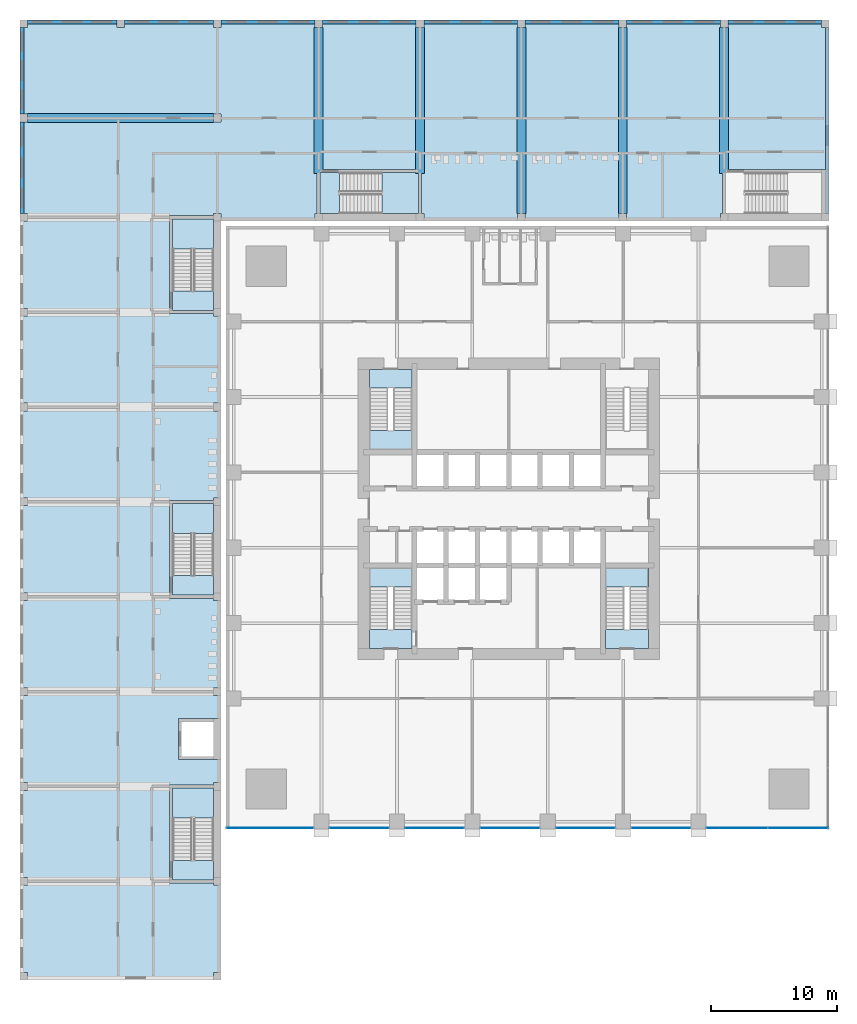
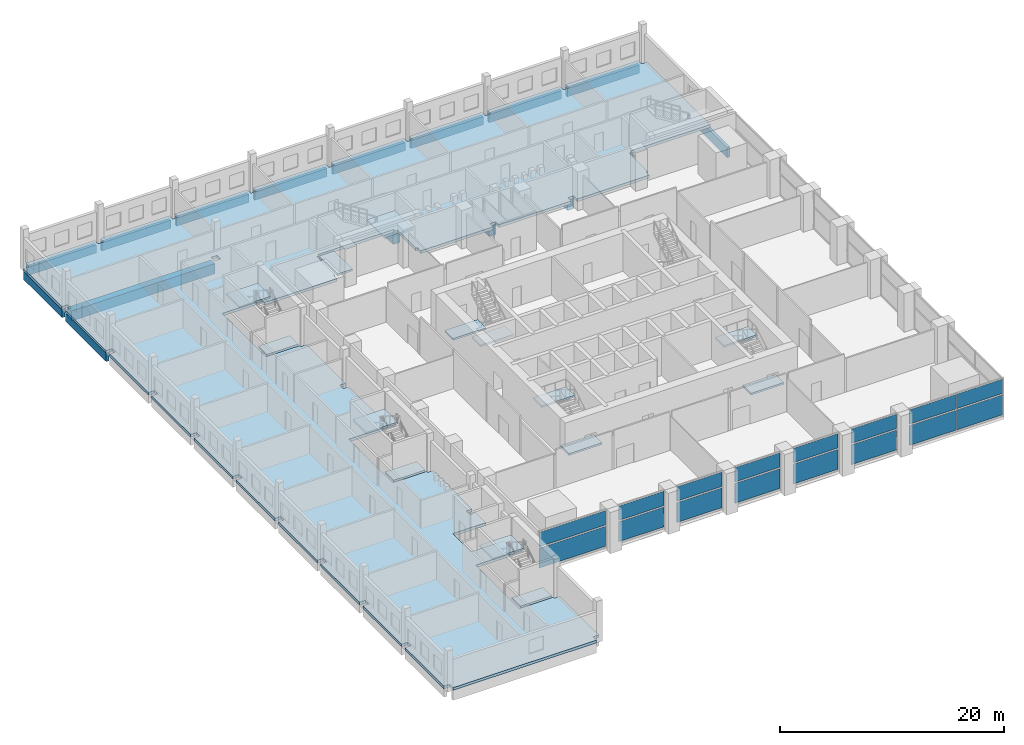
# One storey, part 8 of 25: 17 beams, 16 plates, 15 slabs, 14 elements without a shape of their own.
"""IFC4 building model written with IfcOpenShell, lengths in metres."""

import ifcopenshell
import ifcopenshell.guid

model = None  # the IFC model being written
_history = None  # IfcOwnerHistory: only IFC2X3 demands one
_inside = {}  # id of a spatial element -> (the spatial element, [elements in it])
_under = {}  # id of a project, library or spatial element -> (it, [spatial elements below it])
_declared = {}  # id of a project -> (the project, [libraries it declares])
_typed = {}  # id of a type object -> (the type object, [elements of that type])
_made_of = {}  # id of a material, layer set ... -> (it, [elements and type objects made of it])


def new_model(schema):
    """Start an empty IFC model of exactly this schema.

    Asked for "IFC4X3", IfcOpenShell would pick the latest addendum, in which some entities
    have other attributes; the version numbers below select the first issue.
    IFC2X3 requires an IfcOwnerHistory on every rooted entity: one is made here for all.
    """
    global model, _history
    if schema == "IFC4X3":
        model = ifcopenshell.file(schema_version=(4, 3, 0, 0))
    else:
        model = ifcopenshell.file(schema=schema)
    _inside.clear()
    _under.clear()
    _declared.clear()
    _typed.clear()
    _made_of.clear()
    _history = None
    if model.schema == "IFC2X3":
        org = make("IfcOrganization", Name="unknown")
        user = make(
            "IfcPersonAndOrganization",
            ThePerson=make("IfcPerson", FamilyName="unknown"),
            TheOrganization=org,
        )
        app = make(
            "IfcApplication",
            ApplicationDeveloper=org,
            Version="unknown",
            ApplicationFullName="unknown",
            ApplicationIdentifier="unknown",
        )
        _history = make(
            "IfcOwnerHistory",
            OwningUser=user,
            OwningApplication=app,
            ChangeAction="ADDED",
            CreationDate=0,
        )
    return model


def make(cls, **values):
    """One entity of the class cls with the attributes given. An attribute that is None is left unset."""
    return model.create_entity(
        cls, **{name: value for name, value in values.items() if value is not None}
    )


def rooted(cls, **values):
    """An entity with a GlobalId (a new one), such as an element, a storey or a relation."""
    return make(cls, GlobalId=ifcopenshell.guid.new(), OwnerHistory=_history, **values)


def si_unit(unit_type, name, prefix=None):
    """IfcSIUnit, for example si_unit("LENGTHUNIT", "METRE", prefix="MILLI")."""
    return make("IfcSIUnit", UnitType=unit_type, Prefix=prefix, Name=name)


def assignment(units):
    """IfcUnitAssignment: the units of a project."""
    return None if units is None else make("IfcUnitAssignment", Units=units)


def point(xyz):
    """IfcCartesianPoint."""
    return None if xyz is None else make("IfcCartesianPoint", Coordinates=xyz)


def direction(xyz):
    """IfcDirection."""
    return None if xyz is None else make("IfcDirection", DirectionRatios=xyz)


def frame(location, z_axis=None, x_axis=None):
    """IfcAxis2Placement3D, a coordinate frame: its origin and axes. An axis left out is left unset."""
    return make(
        "IfcAxis2Placement3D",
        Location=point(location),
        Axis=direction(z_axis),
        RefDirection=direction(x_axis),
    )


def frame_2d(location, x_axis=None):
    """IfcAxis2Placement2D, a coordinate frame in the plane: its origin and x axis."""
    return make(
        "IfcAxis2Placement2D", Location=point(location), RefDirection=direction(x_axis)
    )


def origin():
    """The frame at (0, 0, 0) with its axes left unset."""
    return frame((0.0, 0.0, 0.0))


def origin_2d():
    """The frame at (0, 0) in the plane with its x axis left unset."""
    return frame_2d((0.0, 0.0))


def place(relative_to, where):
    """IfcLocalPlacement: puts the frame where relative to a parent placement (None: the world)."""
    return make(
        "IfcLocalPlacement", PlacementRelTo=relative_to, RelativePlacement=where
    )


def context(
    kind, dimensions, precision=None, world=None, true_north=None, identifier=None
):
    """IfcGeometricRepresentationContext, for example the 3D "Model" context."""
    return make(
        "IfcGeometricRepresentationContext",
        ContextIdentifier=identifier,
        ContextType=kind,
        CoordinateSpaceDimension=dimensions,
        Precision=precision,
        WorldCoordinateSystem=world,
        TrueNorth=true_north,
    )


def subcontext(parent, identifier, kind, view, scale=None):
    """IfcGeometricRepresentationSubContext, for example "Body" below "Model"."""
    return make(
        "IfcGeometricRepresentationSubContext",
        ContextIdentifier=identifier,
        ContextType=kind,
        ParentContext=parent,
        TargetScale=scale,
        TargetView=view,
    )


def project(units=None, contexts=None):
    """IfcProject with its units and contexts."""
    return rooted(
        "IfcProject",
        Name="project",
        RepresentationContexts=contexts,
        UnitsInContext=assignment(units),
    )


def spatial(cls, under=None, at=None, **own):
    """A site, building, storey or space (cls), placed at a placement, below another one or the project."""
    s = rooted(cls, ObjectPlacement=at, **own)
    if under is not None:
        _under.setdefault(under.id(), (under, []))[1].append(s)
    return s


def polyline(points):
    """IfcPolyline through the points."""
    return make("IfcPolyline", Points=[point(p) for p in points])


def profile(cls, at=None, kind="AREA", **sizes):
    """A parametric profile (cls). Its sizes go by their IFC names, for example OverallWidth=200.0."""
    return make(cls, ProfileType=kind, Position=at, **sizes)


def rectangle(**sizes):
    """IfcRectangleProfileDef."""
    return profile("IfcRectangleProfileDef", **sizes)


def outline(outer, holes=None, kind="AREA"):
    """IfcArbitraryClosedProfileDef: a profile drawn as a closed curve; with holes, ...WithVoids."""
    if holes is None:
        return make("IfcArbitraryClosedProfileDef", ProfileType=kind, OuterCurve=outer)
    return make(
        "IfcArbitraryProfileDefWithVoids",
        ProfileType=kind,
        OuterCurve=outer,
        InnerCurves=holes,
    )


def extrude(swept, where, along, depth):
    """IfcExtrudedAreaSolid: the profile swept, set in the frame where, extruded along a direction by depth."""
    return make(
        "IfcExtrudedAreaSolid",
        SweptArea=swept,
        Position=where,
        ExtrudedDirection=direction(along),
        Depth=depth,
    )


def shape(context_of_items, identifier, shape_type, items):
    """IfcShapeRepresentation: the items that make up one representation, for example the "Body"."""
    return make(
        "IfcShapeRepresentation",
        ContextOfItems=context_of_items,
        RepresentationIdentifier=identifier,
        RepresentationType=shape_type,
        Items=items,
    )


def material(Name=None, Category=None):
    """IfcMaterial."""
    return make("IfcMaterial", Name=Name, Category=Category)


def layer(
    of_material, thickness, ventilated=None, Name=None, Category=None, Priority=None
):
    """IfcMaterialLayer: one layer of a wall or slab, of a material (None: an air gap)."""
    return make(
        "IfcMaterialLayer",
        Material=of_material,
        LayerThickness=thickness,
        IsVentilated=ventilated,
        Name=Name,
        Category=Category,
        Priority=Priority,
    )


def layer_set(layers, Name=None):
    """IfcMaterialLayerSet."""
    return make("IfcMaterialLayerSet", MaterialLayers=layers, LayerSetName=Name)


def material_profile(
    of_material, cross_section, Name=None, Category=None, Priority=None
):
    """IfcMaterialProfile: a cross section and its material."""
    return make(
        "IfcMaterialProfile",
        Name=Name,
        Material=of_material,
        Profile=cross_section,
        Priority=Priority,
        Category=Category,
    )


def profile_set(profiles, Name=None, composite=None):
    """IfcMaterialProfileSet."""
    return make(
        "IfcMaterialProfileSet",
        Name=Name,
        MaterialProfiles=profiles,
        CompositeProfile=composite,
    )


def made_of(thing, what):
    """Note that an element or type object is made of a material, layer set ...; save() writes the relation."""
    if what is not None:
        _made_of.setdefault(what.id(), (what, []))[1].append(thing)
    return thing


def type_object(cls, material=None, **own):
    """A type object (cls), such as IfcWallType, which elements share."""
    return made_of(rooted(cls, **own), material)


def element(
    cls,
    number,
    at=None,
    inside=None,
    cuts=None,
    type_object=None,
    material=None,
    context=None,
    identifier="Body",
    shape_type=None,
    held_by="IfcProductDefinitionShape",
    body=None,
    shapes=None,
    **own,
):
    """One element of the class cls, such as IfcWall. Its Tag is "e" and its number.

    at: its placement. inside: the storey or other place that contains it. cuts: it is an
    opening in that element (IfcRelVoidsElement). A single representation is given by context,
    identifier, shape_type and body (its items); several are given by shapes. held_by: the class
    of the entity that holds the representations. save() writes the other relations.
    """
    e = rooted(cls, Tag="e%d" % number, ObjectPlacement=at, **own)
    if body is not None:
        shapes = [shape(context, identifier, shape_type, body)]
    if shapes is not None:
        e.Representation = make(held_by, Representations=shapes)
    if inside is not None:
        _inside.setdefault(inside.id(), (inside, []))[1].append(e)
    if cuts is not None:
        rooted(
            "IfcRelVoidsElement", RelatingBuildingElement=cuts, RelatedOpeningElement=e
        )
    if type_object is not None:
        _typed.setdefault(type_object.id(), (type_object, []))[1].append(e)
    return made_of(e, material)


def aggregate(whole, parts):
    """IfcRelAggregates: a whole, such as a stair, and the parts it consists of."""
    return rooted("IfcRelAggregates", RelatingObject=whole, RelatedObjects=parts)


def save(model, path):
    """Write the relations noted so far, then the file.

    IfcRelAggregates (storeys below a building ...), IfcRelContainedInSpatialStructure (elements
    in a storey), IfcRelDefinesByType, IfcRelAssociatesMaterial and IfcRelDeclares: one each for
    every whole, place, type object, material and project.
    """
    for whole, parts in _under.values():
        aggregate(whole, parts)
    for where, things in _inside.values():
        rooted(
            "IfcRelContainedInSpatialStructure",
            RelatedElements=things,
            RelatingStructure=where,
        )
    for kind, things in _typed.values():
        rooted("IfcRelDefinesByType", RelatedObjects=things, RelatingType=kind)
    for what, things in _made_of.values():
        rooted("IfcRelAssociatesMaterial", RelatedObjects=things, RelatingMaterial=what)
    for by, libraries in _declared.values():
        rooted("IfcRelDeclares", RelatingContext=by, RelatedDefinitions=libraries)
    model.write(path)


model = new_model("IFC4")

# Units and contexts
model_context = context("Model", 3, precision=1e-05, world=origin(), true_north=direction((0.0, 1.0)))
body_context = subcontext(model_context, "Body", "Model", "MODEL_VIEW")
ifc_project = project(units=[si_unit("LENGTHUNIT", "METRE"), si_unit("AREAUNIT", "SQUARE_METRE"), si_unit("VOLUMEUNIT", "CUBIC_METRE"), si_unit("PLANEANGLEUNIT", "RADIAN"), si_unit("MASSUNIT", "GRAM", prefix="KILO")], contexts=[model_context])

# Site, building, storey
site_placement = place(None, origin())
site = spatial("IfcSite", under=ifc_project, at=site_placement, CompositionType="ELEMENT")
building_placement = place(site_placement, origin())
building = spatial("IfcBuilding", under=site, at=building_placement, Name="Amberfall Residences", CompositionType="ELEMENT")
storey_placement = place(building_placement, frame((0.0, 0.0, 10.0)))
storey = spatial("IfcBuildingStorey", under=building, at=storey_placement, Name="L02", CompositionType="ELEMENT", Elevation=10.0)

# Beams
ifc_material_1 = material(Name="Concrete C40", Category="concrete")
ifc_material_profile_1 = material_profile(ifc_material_1, rectangle(XDim=0.699951171875, YDim=1.10009765625, at=origin_2d()), Name="School beam 700 x 1100 C40")
ifc_profile_set_1 = profile_set([ifc_material_profile_1], Name="Concrete C40")
beam_type_1 = type_object("IfcBeamType", Name="School beam 700 x 1100 C40", PredefinedType="BEAM", material=ifc_profile_set_1)
beam_1_placement = place(storey_placement, frame((36.199951171875, 76.60009765625, -0.85009765625), z_axis=(1.0, 0.0, 0.0), x_axis=(0.0, 1.0, 0.0)))
element("IfcBeam", 1, at=beam_1_placement, inside=storey, type_object=beam_type_1, Name="TW9", PredefinedType="BEAM", context=body_context, shape_type="SweptSolid", body=[
    extrude(rectangle(XDim=0.699951171875, YDim=1.10009765625, at=origin_2d()), origin(), (0.0, 0.0, 1.0), 14.800048828125),
])
for number, where, z_axis, x_axis, name in (
    (2, (59.366943359375, 72.199951171875, -0.85009765625), (0.0, 1.0, 0.0), (-1.0, 0.0, 0.0), "TN1"),
    (3, (67.43310546875, 72.199951171875, -0.85009765625), (0.0, 1.0, 0.0), (-1.0, 0.0, 0.0), "TN2"),
):
    element("IfcBeam", number, at=place(storey_placement, frame(where, z_axis=z_axis, x_axis=x_axis)), inside=storey, type_object=beam_type_1, Name=name, PredefinedType="BEAM", context=body_context, shape_type="SweptSolid", body=[
        extrude(rectangle(XDim=0.699951171875, YDim=1.10009765625, at=origin_2d()), origin(), (0.0, 0.0, 1.0), 11.60009765625),
    ])
for number, where, z_axis, x_axis, name in (
    (4, (75.5, 69.0, -0.85009765625), (0.0, 1.0, 0.0), (-1.0, 0.0, 0.0), "TN3"),
    (5, (83.56689453125, 69.0, -0.85009765625), (0.0, 1.0, 0.0), (-1.0, 0.0, 0.0), "TN4"),
):
    element("IfcBeam", number, at=place(storey_placement, frame(where, z_axis=z_axis, x_axis=x_axis)), inside=storey, type_object=beam_type_1, Name=name, PredefinedType="BEAM", context=body_context, shape_type="SweptSolid", body=[
        extrude(rectangle(XDim=0.699951171875, YDim=1.10009765625, at=origin_2d()), origin(), (0.0, 0.0, 1.0), 14.800048828125),
    ])
beam_2_placement = place(storey_placement, frame((91.633056640625, 72.199951171875, -0.85009765625), z_axis=(0.0, 1.0, 0.0), x_axis=(-1.0, 0.0, 0.0)))
element("IfcBeam", 6, at=beam_2_placement, inside=storey, type_object=beam_type_1, Name="TN5", PredefinedType="BEAM", context=body_context, shape_type="SweptSolid", body=[
    extrude(rectangle(XDim=0.699951171875, YDim=1.10009765625, at=origin_2d()), origin(), (0.0, 0.0, 1.0), 11.60009765625),
])
ifc_material_profile_2 = material_profile(ifc_material_1, rectangle(XDim=0.300048828125, YDim=0.89990234375, at=origin_2d()), Name="School edge beam 300 x 900 C40")
ifc_profile_set_2 = profile_set([ifc_material_profile_2], Name="Concrete C40")
beam_type_2 = type_object("IfcBeamType", Name="School edge beam 300 x 900 C40", PredefinedType="BEAM", material=ifc_profile_set_2)
beam_3_placement = place(storey_placement, frame((35.75, 69.0, -0.75), z_axis=(0.0, 1.0, 0.0), x_axis=(-1.0, 0.0, 0.0)))
element("IfcBeam", 7, at=beam_3_placement, inside=storey, type_object=beam_type_2, Name="GW8", PredefinedType="BEAM", context=body_context, shape_type="SweptSolid", body=[
    extrude(rectangle(XDim=0.300048828125, YDim=0.89990234375, at=origin_2d()), origin(), (0.0, 0.0, 1.0), 7.300048828125),
])
beam_4_placement = place(storey_placement, frame((35.75, 76.89990234375, -0.75), z_axis=(0.0, 1.0, 0.0), x_axis=(-1.0, 0.0, 0.0)))
element("IfcBeam", 8, at=beam_4_placement, inside=storey, type_object=beam_type_2, Name="GW9", PredefinedType="BEAM", context=body_context, shape_type="SweptSolid", body=[
    extrude(rectangle(XDim=0.300048828125, YDim=0.89990234375, at=origin_2d()), origin(), (0.0, 0.0, 1.0), 6.900146484375),
])
for number, where, z_axis, x_axis, name in (
    (9, (36.199951171875, 84.25, -0.75), (1.0, 0.0, 0.0), (0.0, 1.0, 0.0), "GN0"),
    (10, (43.89990234375, 84.25, -0.75), (1.0, 0.0, 0.0), (0.0, 1.0, 0.0), "GN1"),
):
    element("IfcBeam", number, at=place(storey_placement, frame(where, z_axis=z_axis, x_axis=x_axis)), inside=storey, type_object=beam_type_2, Name=name, PredefinedType="BEAM", context=body_context, shape_type="SweptSolid", body=[
        extrude(rectangle(XDim=0.300048828125, YDim=0.89990234375, at=origin_2d()), origin(), (0.0, 0.0, 1.0), 7.10009765625),
    ])
beam_5_placement = place(storey_placement, frame((51.60009765625, 84.25, -0.75), z_axis=(1.0, 0.0, 0.0), x_axis=(0.0, 1.0, 0.0)))
element("IfcBeam", 11, at=beam_5_placement, inside=storey, type_object=beam_type_2, Name="GN2", PredefinedType="BEAM", context=body_context, shape_type="SweptSolid", body=[
    extrude(rectangle(XDim=0.300048828125, YDim=0.89990234375, at=origin_2d()), origin(), (0.0, 0.0, 1.0), 7.466796875),
])
beam_6_placement = place(storey_placement, frame((59.6669921875, 84.25, -0.75), z_axis=(1.0, 0.0, 0.0), x_axis=(0.0, 1.0, 0.0)))
element("IfcBeam", 12, at=beam_6_placement, inside=storey, type_object=beam_type_2, Name="GN3", PredefinedType="BEAM", context=body_context, shape_type="SweptSolid", body=[
    extrude(rectangle(XDim=0.300048828125, YDim=0.89990234375, at=origin_2d()), origin(), (0.0, 0.0, 1.0), 7.466064453125),
])
for number, where, z_axis, x_axis, name in (
    (13, (67.73291015625, 84.25, -0.75), (1.0, 0.0, 0.0), (0.0, 1.0, 0.0), "GN4"),
    (14, (75.800048828125, 84.25, -0.75), (1.0, 0.0, 0.0), (0.0, 1.0, 0.0), "GN5"),
):
    element("IfcBeam", number, at=place(storey_placement, frame(where, z_axis=z_axis, x_axis=x_axis)), inside=storey, type_object=beam_type_2, Name=name, PredefinedType="BEAM", context=body_context, shape_type="SweptSolid", body=[
        extrude(rectangle(XDim=0.300048828125, YDim=0.89990234375, at=origin_2d()), origin(), (0.0, 0.0, 1.0), 7.467041015625),
    ])
beam_7_placement = place(storey_placement, frame((83.866943359375, 84.25, -0.75), z_axis=(1.0, 0.0, 0.0), x_axis=(0.0, 1.0, 0.0)))
element("IfcBeam", 15, at=beam_7_placement, inside=storey, type_object=beam_type_2, Name="GN6", PredefinedType="BEAM", context=body_context, shape_type="SweptSolid", body=[
    extrude(rectangle(XDim=0.300048828125, YDim=0.89990234375, at=origin_2d()), origin(), (0.0, 0.0, 1.0), 7.466064453125),
])
beam_8_placement = place(storey_placement, frame((91.93310546875, 84.25, -0.75), z_axis=(1.0, 0.0, 0.0), x_axis=(0.0, 1.0, 0.0)))
element("IfcBeam", 16, at=beam_8_placement, inside=storey, type_object=beam_type_2, Name="GN7", PredefinedType="BEAM", context=body_context, shape_type="SweptSolid", body=[
    extrude(rectangle(XDim=0.300048828125, YDim=0.89990234375, at=origin_2d()), origin(), (0.0, 0.0, 1.0), 7.466796875),
])
ifc_material_profile_3 = material_profile(ifc_material_1, rectangle(XDim=0.300048828125, YDim=1.10009765625, at=origin_2d()), Name="School end beam 300 x 1100 C40")
ifc_profile_set_3 = profile_set([ifc_material_profile_3], Name="Concrete C40")
beam_type_3 = type_object("IfcBeamType", Name="School end beam 300 x 1100 C40", PredefinedType="BEAM", material=ifc_profile_set_3)
beam_9_placement = place(storey_placement, frame((99.85009765625, 69.0, -0.85009765625), z_axis=(0.0, 1.0, 0.0), x_axis=(-1.0, 0.0, 0.0)))
element("IfcBeam", 17, at=beam_9_placement, inside=storey, type_object=beam_type_3, Name="EE", PredefinedType="BEAM", context=body_context, shape_type="SweptSolid", body=[
    extrude(rectangle(XDim=0.300048828125, YDim=1.10009765625, at=origin_2d()), origin(), (0.0, 0.0, 1.0), 14.800048828125),
])

# Curtain wall, plates
ifc_material_2 = material(Name="Bronze anodised aluminium and glass", Category="aluminium")
curtain_wall_type = type_object("IfcCurtainWallType", Name="Curtain wall CW4 podium storefront", PredefinedType="USERDEFINED", material=ifc_material_2)
curtain_wall_1_placement = place(storey_placement, origin())
curtain_wall_1 = element("IfcCurtainWall", 18, at=curtain_wall_1_placement, inside=storey, type_object=curtain_wall_type, Name="Storefront L02 S1", ObjectType="UNITISED CURTAIN WALL", PredefinedType="USERDEFINED")
ifc_material_3 = material(Name="Clear toughened glazing", Category="glass")
ifc_layer_1 = layer(ifc_material_3, 0.028076171875)
ifc_layer_set_1 = layer_set([ifc_layer_1], Name="CW4 panel 28 glazing")
plate_type = type_object("IfcPlateType", Name="CW4 panel 28 glazing", PredefinedType="CURTAIN_PANEL", material=ifc_layer_set_1)
plate_1_placement = place(storey_placement, frame((55.5, 20.10009765625, 0.14990234375), z_axis=(0.0, 0.0, 1.0), x_axis=(1.0, 0.0, 0.0)))
plate_1 = element("IfcPlate", 19, at=plate_1_placement, type_object=plate_type, Name="CW4 panel 1.1", PredefinedType="CURTAIN_PANEL", context=body_context, shape_type="SweptSolid", body=[
    extrude(rectangle(XDim=6.860107421875, YDim=0.028076171875, at=origin_2d()), origin(), (0.0, 0.0, 1.0), 2.175048828125),
])
plate_2_placement = place(storey_placement, frame((55.5, 20.10009765625, 2.47509765625), z_axis=(0.0, 0.0, 1.0), x_axis=(1.0, 0.0, 0.0)))
plate_2 = element("IfcPlate", 20, at=plate_2_placement, type_object=plate_type, Name="CW4 panel 1.2", PredefinedType="CURTAIN_PANEL", context=body_context, shape_type="SweptSolid", body=[
    extrude(rectangle(XDim=6.860107421875, YDim=0.028076171875, at=origin_2d()), origin(), (0.0, 0.0, 1.0), 1.574951171875),
])
aggregate(curtain_wall_1, [plate_1, plate_2])

curtain_wall_2_placement = place(storey_placement, origin())
curtain_wall_2 = element("IfcCurtainWall", 21, at=curtain_wall_2_placement, inside=storey, type_object=curtain_wall_type, Name="Storefront L02 S2", ObjectType="UNITISED CURTAIN WALL", PredefinedType="USERDEFINED")
plate_3_placement = place(storey_placement, frame((62.60009765625, 20.10009765625, 0.14990234375), z_axis=(0.0, 0.0, 1.0), x_axis=(1.0, 0.0, 0.0)))
plate_3 = element("IfcPlate", 22, at=plate_3_placement, type_object=plate_type, Name="CW4 panel 1.1", PredefinedType="CURTAIN_PANEL", context=body_context, shape_type="SweptSolid", body=[
    extrude(rectangle(XDim=4.659912109375, YDim=0.028076171875, at=origin_2d()), origin(), (0.0, 0.0, 1.0), 2.175048828125),
])
plate_4_placement = place(storey_placement, frame((62.60009765625, 20.10009765625, 2.47509765625), z_axis=(0.0, 0.0, 1.0), x_axis=(1.0, 0.0, 0.0)))
plate_4 = element("IfcPlate", 23, at=plate_4_placement, type_object=plate_type, Name="CW4 panel 1.2", PredefinedType="CURTAIN_PANEL", context=body_context, shape_type="SweptSolid", body=[
    extrude(rectangle(XDim=4.659912109375, YDim=0.028076171875, at=origin_2d()), origin(), (0.0, 0.0, 1.0), 1.574951171875),
])
aggregate(curtain_wall_2, [plate_3, plate_4])

curtain_wall_3_placement = place(storey_placement, origin())
curtain_wall_3 = element("IfcCurtainWall", 24, at=curtain_wall_3_placement, inside=storey, type_object=curtain_wall_type, Name="Storefront L02 S3", ObjectType="UNITISED CURTAIN WALL", PredefinedType="USERDEFINED")
plate_5_placement = place(storey_placement, frame((68.60009765625, 20.10009765625, 0.14990234375), z_axis=(0.0, 0.0, 1.0), x_axis=(1.0, 0.0, 0.0)))
plate_5 = element("IfcPlate", 25, at=plate_5_placement, type_object=plate_type, Name="CW4 panel 1.1", PredefinedType="CURTAIN_PANEL", context=body_context, shape_type="SweptSolid", body=[
    extrude(rectangle(XDim=4.659912109375, YDim=0.028076171875, at=origin_2d()), origin(), (0.0, 0.0, 1.0), 2.175048828125),
])
plate_6_placement = place(storey_placement, frame((68.60009765625, 20.10009765625, 2.47509765625), z_axis=(0.0, 0.0, 1.0), x_axis=(1.0, 0.0, 0.0)))
plate_6 = element("IfcPlate", 26, at=plate_6_placement, type_object=plate_type, Name="CW4 panel 1.2", PredefinedType="CURTAIN_PANEL", context=body_context, shape_type="SweptSolid", body=[
    extrude(rectangle(XDim=4.659912109375, YDim=0.028076171875, at=origin_2d()), origin(), (0.0, 0.0, 1.0), 1.574951171875),
])
aggregate(curtain_wall_3, [plate_5, plate_6])

curtain_wall_4_placement = place(storey_placement, origin())
curtain_wall_4 = element("IfcCurtainWall", 27, at=curtain_wall_4_placement, inside=storey, type_object=curtain_wall_type, Name="Storefront L02 S4", ObjectType="UNITISED CURTAIN WALL", PredefinedType="USERDEFINED")
plate_7_placement = place(storey_placement, frame((74.60009765625, 20.10009765625, 0.14990234375), z_axis=(0.0, 0.0, 1.0), x_axis=(1.0, 0.0, 0.0)))
plate_7 = element("IfcPlate", 28, at=plate_7_placement, type_object=plate_type, Name="CW4 panel 1.1", PredefinedType="CURTAIN_PANEL", context=body_context, shape_type="SweptSolid", body=[
    extrude(rectangle(XDim=4.659912109375, YDim=0.028076171875, at=origin_2d()), origin(), (0.0, 0.0, 1.0), 2.175048828125),
])
plate_8_placement = place(storey_placement, frame((74.60009765625, 20.10009765625, 2.47509765625), z_axis=(0.0, 0.0, 1.0), x_axis=(1.0, 0.0, 0.0)))
plate_8 = element("IfcPlate", 29, at=plate_8_placement, type_object=plate_type, Name="CW4 panel 1.2", PredefinedType="CURTAIN_PANEL", context=body_context, shape_type="SweptSolid", body=[
    extrude(rectangle(XDim=4.659912109375, YDim=0.028076171875, at=origin_2d()), origin(), (0.0, 0.0, 1.0), 1.574951171875),
])
aggregate(curtain_wall_4, [plate_7, plate_8])

curtain_wall_5_placement = place(storey_placement, origin())
curtain_wall_5 = element("IfcCurtainWall", 30, at=curtain_wall_5_placement, inside=storey, type_object=curtain_wall_type, Name="Storefront L02 S5", ObjectType="UNITISED CURTAIN WALL", PredefinedType="USERDEFINED")
plate_9_placement = place(storey_placement, frame((80.60009765625, 20.10009765625, 0.14990234375), z_axis=(0.0, 0.0, 1.0), x_axis=(1.0, 0.0, 0.0)))
plate_9 = element("IfcPlate", 31, at=plate_9_placement, type_object=plate_type, Name="CW4 panel 1.1", PredefinedType="CURTAIN_PANEL", context=body_context, shape_type="SweptSolid", body=[
    extrude(rectangle(XDim=4.659912109375, YDim=0.028076171875, at=origin_2d()), origin(), (0.0, 0.0, 1.0), 2.175048828125),
])
plate_10_placement = place(storey_placement, frame((80.60009765625, 20.10009765625, 2.47509765625), z_axis=(0.0, 0.0, 1.0), x_axis=(1.0, 0.0, 0.0)))
plate_10 = element("IfcPlate", 32, at=plate_10_placement, type_object=plate_type, Name="CW4 panel 1.2", PredefinedType="CURTAIN_PANEL", context=body_context, shape_type="SweptSolid", body=[
    extrude(rectangle(XDim=4.659912109375, YDim=0.028076171875, at=origin_2d()), origin(), (0.0, 0.0, 1.0), 1.574951171875),
])
aggregate(curtain_wall_5, [plate_9, plate_10])

curtain_wall_6_placement = place(storey_placement, origin())
curtain_wall_6 = element("IfcCurtainWall", 33, at=curtain_wall_6_placement, inside=storey, type_object=curtain_wall_type, Name="Storefront L02 S6", ObjectType="UNITISED CURTAIN WALL", PredefinedType="USERDEFINED")
plate_11_placement = place(storey_placement, frame((86.60009765625, 20.10009765625, 0.14990234375), z_axis=(0.0, 0.0, 1.0), x_axis=(1.0, 0.0, 0.0)))
plate_11 = element("IfcPlate", 34, at=plate_11_placement, type_object=plate_type, Name="CW4 panel 1.1", PredefinedType="CURTAIN_PANEL", context=body_context, shape_type="SweptSolid", body=[
    extrude(rectangle(XDim=4.659912109375, YDim=0.028076171875, at=origin_2d()), origin(), (0.0, 0.0, 1.0), 2.175048828125),
])
plate_12_placement = place(storey_placement, frame((86.60009765625, 20.10009765625, 2.47509765625), z_axis=(0.0, 0.0, 1.0), x_axis=(1.0, 0.0, 0.0)))
plate_12 = element("IfcPlate", 35, at=plate_12_placement, type_object=plate_type, Name="CW4 panel 1.2", PredefinedType="CURTAIN_PANEL", context=body_context, shape_type="SweptSolid", body=[
    extrude(rectangle(XDim=4.659912109375, YDim=0.028076171875, at=origin_2d()), origin(), (0.0, 0.0, 1.0), 1.574951171875),
])
aggregate(curtain_wall_6, [plate_11, plate_12])

curtain_wall_7_placement = place(storey_placement, origin())
curtain_wall_7 = element("IfcCurtainWall", 36, at=curtain_wall_7_placement, inside=storey, type_object=curtain_wall_type, Name="Storefront L02 S7", ObjectType="UNITISED CURTAIN WALL", PredefinedType="USERDEFINED")
plate_13_placement = place(storey_placement, frame((92.66748046875, 20.10009765625, 0.14990234375), z_axis=(0.0, 0.0, 1.0), x_axis=(1.0, 0.0, 0.0)))
plate_13 = element("IfcPlate", 37, at=plate_13_placement, type_object=plate_type, Name="CW4 panel 1.1", PredefinedType="CURTAIN_PANEL", context=body_context, shape_type="SweptSolid", body=[
    extrude(rectangle(XDim=4.794921875, YDim=0.028076171875, at=origin_2d()), origin(), (0.0, 0.0, 1.0), 2.175048828125),
])
plate_14_placement = place(storey_placement, frame((92.66748046875, 20.10009765625, 2.47509765625), z_axis=(0.0, 0.0, 1.0), x_axis=(1.0, 0.0, 0.0)))
plate_14 = element("IfcPlate", 38, at=plate_14_placement, type_object=plate_type, Name="CW4 panel 1.2", PredefinedType="CURTAIN_PANEL", context=body_context, shape_type="SweptSolid", body=[
    extrude(rectangle(XDim=4.794921875, YDim=0.028076171875, at=origin_2d()), origin(), (0.0, 0.0, 1.0), 1.574951171875),
])
plate_15_placement = place(storey_placement, frame((97.532470703125, 20.10009765625, 0.14990234375), z_axis=(0.0, 0.0, 1.0), x_axis=(1.0, 0.0, 0.0)))
plate_15 = element("IfcPlate", 39, at=plate_15_placement, type_object=plate_type, Name="CW4 panel 2.1", PredefinedType="CURTAIN_PANEL", context=body_context, shape_type="SweptSolid", body=[
    extrude(rectangle(XDim=4.794921875, YDim=0.028076171875, at=origin_2d()), origin(), (0.0, 0.0, 1.0), 2.175048828125),
])
plate_16_placement = place(storey_placement, frame((97.532470703125, 20.10009765625, 2.47509765625), z_axis=(0.0, 0.0, 1.0), x_axis=(1.0, 0.0, 0.0)))
plate_16 = element("IfcPlate", 40, at=plate_16_placement, type_object=plate_type, Name="CW4 panel 2.2", PredefinedType="CURTAIN_PANEL", context=body_context, shape_type="SweptSolid", body=[
    extrude(rectangle(XDim=4.794921875, YDim=0.028076171875, at=origin_2d()), origin(), (0.0, 0.0, 1.0), 1.574951171875),
])
aggregate(curtain_wall_7, [plate_13, plate_14, plate_15, plate_16])

# Slab
ifc_layer_2 = layer(ifc_material_1, 0.300048828125)
ifc_layer_set_2 = layer_set([ifc_layer_2], Name="School floor slab 300 C40")
slab_type_1 = type_object("IfcSlabType", Name="School floor slab 300 C40", PredefinedType="FLOOR", material=ifc_layer_set_2)
slab_1_placement = place(storey_placement, frame((0.0, 0.0, -0.300048828125)))
element("IfcSlab", 41, at=slab_1_placement, inside=storey, type_object=slab_type_1, Name="School floor L02", PredefinedType="FLOOR", context=body_context, shape_type="SweptSolid", body=[
    extrude(outline(polyline([(36.199951171875, 8.60009765625), (36.199951171875, 8.0), (51.0, 8.0), (51.0, 8.60009765625), (51.60009765625, 8.60009765625), (51.60009765625, 15.550048828125), (51.0, 15.550048828125), (51.0, 15.72509765625), (47.5, 15.72509765625), (47.5, 15.97509765625), (47.5, 23.27490234375), (47.5, 23.52490234375), (51.0, 23.52490234375), (51.0, 23.699951171875), (51.60009765625, 23.699951171875), (51.60009765625, 25.550048828125), (51.0, 25.550048828125), (48.199951171875, 25.550048828125), (48.199951171875, 25.675048828125), (48.199951171875, 25.800048828125), (48.199951171875, 28.550048828125), (48.199951171875, 28.675048828125), (48.199951171875, 28.800048828125), (51.0, 28.800048828125), (51.60009765625, 28.800048828125), (51.60009765625, 30.64990234375), (51.0, 30.64990234375), (51.0, 31.25), (51.60009765625, 31.25), (51.60009765625, 38.199951171875), (51.0, 38.199951171875), (51.0, 38.375), (47.5, 38.375), (47.5, 38.625), (47.5, 45.925048828125), (47.5, 46.175048828125), (51.0, 46.175048828125), (51.0, 46.35009765625), (51.60009765625, 46.35009765625), (51.60009765625, 53.300048828125), (51.0, 53.300048828125), (51.0, 53.89990234375), (51.60009765625, 53.89990234375), (51.60009765625, 60.85009765625), (51.0, 60.85009765625), (51.0, 61.02490234375), (47.5, 61.02490234375), (47.5, 61.27490234375), (47.5, 68.574951171875), (47.5, 68.824951171875), (51.0, 68.824951171875), (51.0, 69.0), (51.60009765625, 69.0), (51.60009765625, 68.39990234375), (59.06689453125, 68.39990234375), (59.06689453125, 69.0), (59.241943359375, 69.0), (59.241943359375, 72.25), (59.491943359375, 72.25), (59.491943359375, 72.5), (67.30810546875, 72.5), (67.30810546875, 72.25), (67.55810546875, 72.25), (67.55810546875, 69.0), (67.73291015625, 69.0), (67.73291015625, 68.39990234375), (75.199951171875, 68.39990234375), (75.199951171875, 69.0), (75.800048828125, 69.0), (75.800048828125, 68.39990234375), (83.26708984375, 68.39990234375), (83.26708984375, 69.0), (83.866943359375, 69.0), (83.866943359375, 68.39990234375), (91.3330078125, 68.39990234375), (91.3330078125, 69.0), (91.508056640625, 69.0), (91.508056640625, 72.25), (91.758056640625, 72.25), (91.758056640625, 72.5), (99.39990234375, 72.5), (100.0, 72.5), (100.0, 83.800048828125), (99.39990234375, 83.800048828125), (99.39990234375, 84.39990234375), (91.93310546875, 84.39990234375), (91.93310546875, 83.800048828125), (91.3330078125, 83.800048828125), (91.3330078125, 84.39990234375), (83.866943359375, 84.39990234375), (83.866943359375, 83.800048828125), (83.26708984375, 83.800048828125), (83.26708984375, 84.39990234375), (75.800048828125, 84.39990234375), (75.800048828125, 83.800048828125), (75.199951171875, 83.800048828125), (75.199951171875, 84.39990234375), (67.73291015625, 84.39990234375), (67.73291015625, 83.800048828125), (67.133056640625, 83.800048828125), (67.133056640625, 84.39990234375), (59.6669921875, 84.39990234375), (59.6669921875, 83.800048828125), (59.06689453125, 83.800048828125), (59.06689453125, 84.39990234375), (51.60009765625, 84.39990234375), (51.60009765625, 83.800048828125), (51.0, 83.800048828125), (51.0, 84.39990234375), (43.89990234375, 84.39990234375), (43.89990234375, 83.800048828125), (43.300048828125, 83.800048828125), (43.300048828125, 84.39990234375), (36.199951171875, 84.39990234375), (36.199951171875, 83.800048828125), (35.60009765625, 83.800048828125), (35.60009765625, 76.89990234375), (36.199951171875, 76.89990234375), (36.199951171875, 76.300048828125), (35.60009765625, 76.300048828125), (35.60009765625, 69.0), (36.199951171875, 69.0), (36.199951171875, 68.39990234375), (35.60009765625, 68.39990234375), (35.60009765625, 61.449951171875), (36.199951171875, 61.449951171875), (36.199951171875, 60.85009765625), (35.60009765625, 60.85009765625), (35.60009765625, 53.89990234375), (36.199951171875, 53.89990234375), (36.199951171875, 53.300048828125), (35.60009765625, 53.300048828125), (35.60009765625, 46.35009765625), (36.199951171875, 46.35009765625), (36.199951171875, 45.75), (35.60009765625, 45.75), (35.60009765625, 38.800048828125), (36.199951171875, 38.800048828125), (36.199951171875, 38.199951171875), (35.60009765625, 38.199951171875), (35.60009765625, 31.25), (36.199951171875, 31.25), (36.199951171875, 30.64990234375), (35.60009765625, 30.64990234375), (35.60009765625, 23.699951171875), (36.199951171875, 23.699951171875), (36.199951171875, 23.10009765625), (35.60009765625, 23.10009765625), (35.60009765625, 16.14990234375), (36.199951171875, 16.14990234375), (36.199951171875, 15.550048828125), (35.60009765625, 15.550048828125), (35.60009765625, 8.60009765625), (36.199951171875, 8.60009765625)]), holes=[polyline([(51.0, 76.300048828125), (51.0, 76.89990234375), (51.60009765625, 76.89990234375), (51.60009765625, 76.300048828125), (51.0, 76.300048828125)])]), origin(), (0.0, 0.0, 1.0), 0.300048828125),
])

# Stair, slabs
stair_type_1 = type_object("IfcStairType", Name="School stair", PredefinedType="HALF_TURN_STAIR", material=ifc_material_1)
stair_1_placement = place(storey_placement, origin())
stair_1 = element("IfcStair", 42, at=stair_1_placement, inside=storey, type_object=stair_type_1, Name="L02 Stair SS1", PredefinedType="HALF_TURN_STAIR")
ifc_layer_3 = layer(ifc_material_1, 0.199951171875)
ifc_layer_set_3 = layer_set([ifc_layer_3], Name="School stair landing")
slab_type_2 = type_object("IfcSlabType", Name="School stair landing", PredefinedType="LANDING", material=ifc_layer_set_3)
slab_2_placement = place(storey_placement, frame((0.0, 0.0, 2.050048828125)))
slab_2 = element("IfcSlab", 43, at=slab_2_placement, type_object=slab_type_2, Name="SS1 landing 1", PredefinedType="LANDING", context=body_context, shape_type="SweptSolid", body=[
    extrude(outline(polyline([(51.0, 20.885009765625), (51.0, 23.27490234375), (47.75, 23.27490234375), (47.75, 20.885009765625), (51.0, 20.885009765625)])), origin(), (0.0, 0.0, 1.0), 0.199951171875),
])
slab_3_placement = place(storey_placement, frame((0.0, 0.0, -0.199951171875)))
slab_3 = element("IfcSlab", 44, at=slab_3_placement, type_object=slab_type_2, Name="SS1 landing 2", PredefinedType="LANDING", context=body_context, shape_type="SweptSolid", body=[
    extrude(outline(polyline([(51.0, 15.97509765625), (51.0, 17.52490234375), (47.75, 17.52490234375), (47.75, 15.97509765625), (51.0, 15.97509765625)])), origin(), (0.0, 0.0, 1.0), 0.199951171875),
])
aggregate(stair_1, [slab_2, slab_3])

stair_2_placement = place(storey_placement, origin())
stair_2 = element("IfcStair", 45, at=stair_2_placement, inside=storey, type_object=stair_type_1, Name="L02 Stair SS2", PredefinedType="HALF_TURN_STAIR")
slab_4_placement = place(storey_placement, frame((0.0, 0.0, 2.050048828125)))
slab_4 = element("IfcSlab", 46, at=slab_4_placement, type_object=slab_type_2, Name="SS2 landing 1", PredefinedType="LANDING", context=body_context, shape_type="SweptSolid", body=[
    extrude(outline(polyline([(51.0, 43.534912109375), (51.0, 45.925048828125), (47.75, 45.925048828125), (47.75, 43.534912109375), (51.0, 43.534912109375)])), origin(), (0.0, 0.0, 1.0), 0.199951171875),
])
slab_5_placement = place(storey_placement, frame((0.0, 0.0, -0.199951171875)))
slab_5 = element("IfcSlab", 47, at=slab_5_placement, type_object=slab_type_2, Name="SS2 landing 2", PredefinedType="LANDING", context=body_context, shape_type="SweptSolid", body=[
    extrude(outline(polyline([(51.0, 38.625), (51.0, 40.175048828125), (47.75, 40.175048828125), (47.75, 38.625), (51.0, 38.625)])), origin(), (0.0, 0.0, 1.0), 0.199951171875),
])
aggregate(stair_2, [slab_4, slab_5])

stair_3_placement = place(storey_placement, origin())
stair_3 = element("IfcStair", 48, at=stair_3_placement, inside=storey, type_object=stair_type_1, Name="L02 Stair SS3", PredefinedType="HALF_TURN_STAIR")
slab_6_placement = place(storey_placement, frame((0.0, 0.0, 2.050048828125)))
slab_6 = element("IfcSlab", 49, at=slab_6_placement, type_object=slab_type_2, Name="SS3 landing 1", PredefinedType="LANDING", context=body_context, shape_type="SweptSolid", body=[
    extrude(outline(polyline([(51.0, 66.18505859375), (51.0, 68.574951171875), (47.75, 68.574951171875), (47.75, 66.18505859375), (51.0, 66.18505859375)])), origin(), (0.0, 0.0, 1.0), 0.199951171875),
])
slab_7_placement = place(storey_placement, frame((0.0, 0.0, -0.199951171875)))
slab_7 = element("IfcSlab", 50, at=slab_7_placement, type_object=slab_type_2, Name="SS3 landing 2", PredefinedType="LANDING", context=body_context, shape_type="SweptSolid", body=[
    extrude(outline(polyline([(51.0, 61.27490234375), (51.0, 62.824951171875), (47.75, 62.824951171875), (47.75, 61.27490234375), (51.0, 61.27490234375)])), origin(), (0.0, 0.0, 1.0), 0.199951171875),
])
aggregate(stair_3, [slab_6, slab_7])

stair_4_placement = place(storey_placement, origin())
stair_4 = element("IfcStair", 51, at=stair_4_placement, inside=storey, type_object=stair_type_1, Name="L02 Stair SS4", PredefinedType="HALF_TURN_STAIR")
slab_8_placement = place(storey_placement, frame((0.0, 0.0, 2.050048828125)))
slab_8 = element("IfcSlab", 52, at=slab_8_placement, type_object=slab_type_2, Name="SS4 landing 1", PredefinedType="LANDING", context=body_context, shape_type="SweptSolid", body=[
    extrude(outline(polyline([(64.402099609375, 69.0), (67.30810546875, 69.0), (67.30810546875, 72.25), (64.402099609375, 72.25), (64.402099609375, 69.0)])), origin(), (0.0, 0.0, 1.0), 0.199951171875),
])
slab_9_placement = place(storey_placement, frame((0.0, 0.0, -0.199951171875)))
slab_9 = element("IfcSlab", 53, at=slab_9_placement, type_object=slab_type_2, Name="SS4 landing 2", PredefinedType="LANDING", context=body_context, shape_type="SweptSolid", body=[
    extrude(outline(polyline([(59.491943359375, 69.0), (61.0419921875, 69.0), (61.0419921875, 72.25), (59.491943359375, 72.25), (59.491943359375, 69.0)])), origin(), (0.0, 0.0, 1.0), 0.199951171875),
])
aggregate(stair_4, [slab_8, slab_9])

stair_type_2 = type_object("IfcStairType", Name="Exit stair 26 risers 173.1 mm", PredefinedType="HALF_TURN_STAIR", material=ifc_material_1)
stair_5_placement = place(storey_placement, origin())
stair_5 = element("IfcStair", 54, at=stair_5_placement, inside=storey, type_object=stair_type_2, Name="L02 Exit stair 1", PredefinedType="HALF_TURN_STAIR")
ifc_layer_4 = layer(ifc_material_1, 0.199951171875)
ifc_layer_set_4 = layer_set([ifc_layer_4], Name="Stair landing 200")
slab_type_3 = type_object("IfcSlabType", Name="Stair landing 200", PredefinedType="LANDING", material=ifc_layer_set_4)
slab_10_placement = place(storey_placement, frame((0.0, 0.0, 2.050048828125)))
slab_10 = element("IfcSlab", 55, at=slab_10_placement, type_object=slab_type_3, Name="ST2 landing 1", PredefinedType="LANDING", context=body_context, shape_type="SweptSolid", body=[
    extrude(outline(polyline([(66.800048828125, 39.260009765625), (66.800048828125, 40.800048828125), (63.39990234375, 40.800048828125), (63.39990234375, 39.260009765625), (66.800048828125, 39.260009765625)])), origin(), (0.0, 0.0, 1.0), 0.199951171875),
])
slab_11_placement = place(storey_placement, frame((0.0, 0.0, -0.199951171875)))
slab_11 = element("IfcSlab", 56, at=slab_11_placement, type_object=slab_type_3, Name="ST2 landing 2", PredefinedType="LANDING", context=body_context, shape_type="SweptSolid", body=[
    extrude(outline(polyline([(66.800048828125, 34.39990234375), (66.800048828125, 35.89990234375), (63.39990234375, 35.89990234375), (63.39990234375, 34.39990234375), (66.800048828125, 34.39990234375)])), origin(), (0.0, 0.0, 1.0), 0.199951171875),
])
aggregate(stair_5, [slab_10, slab_11])

stair_6_placement = place(storey_placement, origin())
stair_6 = element("IfcStair", 57, at=stair_6_placement, inside=storey, type_object=stair_type_2, Name="L02 Exit stair 2", PredefinedType="HALF_TURN_STAIR")
slab_12_placement = place(storey_placement, frame((0.0, 0.0, 2.050048828125)))
slab_12 = element("IfcSlab", 58, at=slab_12_placement, type_object=slab_type_3, Name="ST2 landing 1", PredefinedType="LANDING", context=body_context, shape_type="SweptSolid", body=[
    extrude(outline(polyline([(85.60009765625, 39.260009765625), (85.60009765625, 40.800048828125), (82.199951171875, 40.800048828125), (82.199951171875, 39.260009765625), (85.60009765625, 39.260009765625)])), origin(), (0.0, 0.0, 1.0), 0.199951171875),
])
slab_13_placement = place(storey_placement, frame((0.0, 0.0, -0.199951171875)))
slab_13 = element("IfcSlab", 59, at=slab_13_placement, type_object=slab_type_3, Name="ST2 landing 2", PredefinedType="LANDING", context=body_context, shape_type="SweptSolid", body=[
    extrude(outline(polyline([(85.60009765625, 34.39990234375), (85.60009765625, 35.89990234375), (82.199951171875, 35.89990234375), (82.199951171875, 34.39990234375), (85.60009765625, 34.39990234375)])), origin(), (0.0, 0.0, 1.0), 0.199951171875),
])
aggregate(stair_6, [slab_12, slab_13])

stair_7_placement = place(storey_placement, origin())
stair_7 = element("IfcStair", 60, at=stair_7_placement, inside=storey, type_object=stair_type_2, Name="L02 Exit stair 4", PredefinedType="HALF_TURN_STAIR")
slab_14_placement = place(storey_placement, frame((0.0, 0.0, 2.050048828125)))
slab_14 = element("IfcSlab", 61, at=slab_14_placement, type_object=slab_type_3, Name="ST2 landing 1", PredefinedType="LANDING", context=body_context, shape_type="SweptSolid", body=[
    extrude(outline(polyline([(63.39990234375, 51.739990234375), (63.39990234375, 50.199951171875), (66.800048828125, 50.199951171875), (66.800048828125, 51.739990234375), (63.39990234375, 51.739990234375)])), origin(), (0.0, 0.0, 1.0), 0.199951171875),
])
slab_15_placement = place(storey_placement, frame((0.0, 0.0, -0.199951171875)))
slab_15 = element("IfcSlab", 62, at=slab_15_placement, type_object=slab_type_3, Name="ST2 landing 2", PredefinedType="LANDING", context=body_context, shape_type="SweptSolid", body=[
    extrude(outline(polyline([(63.39990234375, 56.60009765625), (63.39990234375, 55.10009765625), (66.800048828125, 55.10009765625), (66.800048828125, 56.60009765625), (63.39990234375, 56.60009765625)])), origin(), (0.0, 0.0, 1.0), 0.199951171875),
])
aggregate(stair_7, [slab_14, slab_15])

save(model, "model.ifc")
